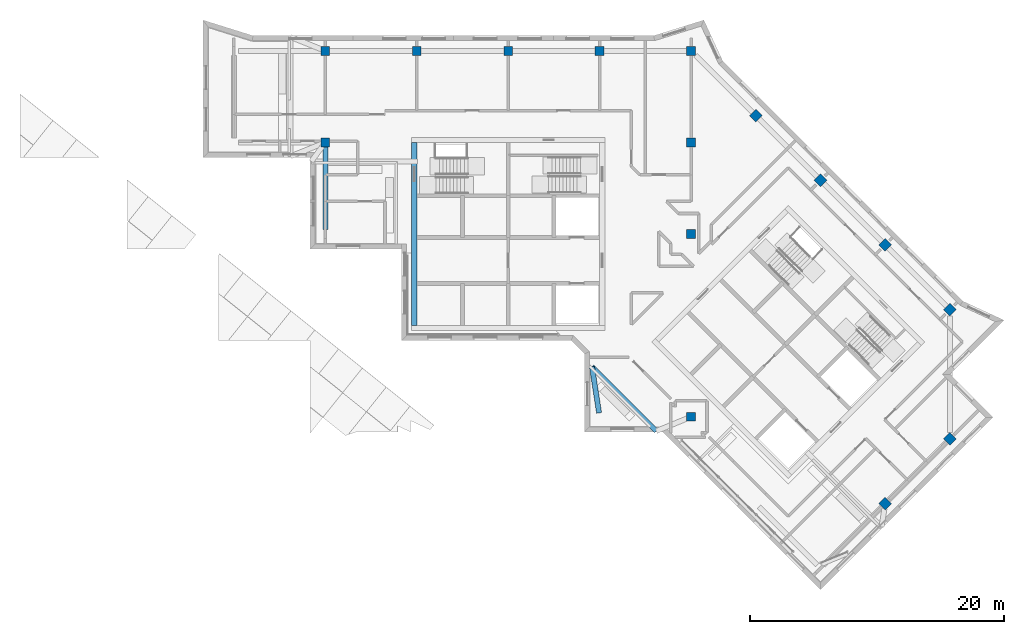
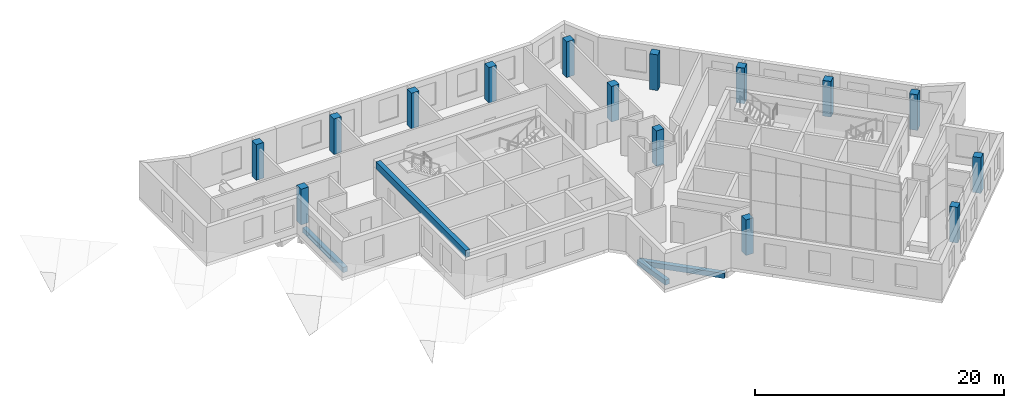
# One storey, part 1 of 13: 15 columns, 4 beams.
"""IFC4 building model written with IfcOpenShell, lengths in metres."""

from ifc_helpers import new_model, si_unit, direction, frame, origin, origin_2d, place, context, subcontext, project, spatial, rectangle, extrude, material, material_profile, profile_set, type_object, element, save


model = new_model("IFC4")

# Units and contexts
model_context = context("Model", 3, precision=1e-05, world=origin(), true_north=direction((0.0, 1.0)))
body_context = subcontext(model_context, "Body", "Model", "MODEL_VIEW")
ifc_project = project(units=[si_unit("LENGTHUNIT", "METRE"), si_unit("AREAUNIT", "SQUARE_METRE"), si_unit("VOLUMEUNIT", "CUBIC_METRE"), si_unit("PLANEANGLEUNIT", "RADIAN"), si_unit("MASSUNIT", "GRAM", prefix="KILO")], contexts=[model_context])

# Site, building, storey
site_placement = place(None, origin())
site = spatial("IfcSite", under=ifc_project, at=site_placement, CompositionType="ELEMENT")
building_placement = place(site_placement, origin())
building = spatial("IfcBuilding", under=site, at=building_placement, Name="Windrow Commons", CompositionType="ELEMENT")
storey_placement = place(building_placement, frame((0.0, 0.0, 294.4)))
storey = spatial("IfcBuildingStorey", under=building, at=storey_placement, Name="L80", CompositionType="ELEMENT", Elevation=294.4)

# Columns
ifc_material_1 = material(Name="Concrete C40/50", Category="concrete")
ifc_material_profile_1 = material_profile(ifc_material_1, rectangle(XDim=0.7, YDim=0.7, at=origin_2d()))
ifc_profile_set_1 = profile_set([ifc_material_profile_1], Name="Concrete C40/50")
column_type = type_object("IfcColumnType", Name="RC COLUMN 700x700 C40/50", PredefinedType="COLUMN", material=ifc_profile_set_1)
for number, where, z_axis, x_axis, name in (
    (1, (50.4, 64.8, 0.0), (0.0, 0.0, 1.0), (1.0, 0.0, 0.0), "C-C-08I"),
    (2, (50.4, 72.0, 0.0), (0.0, 0.0, 1.0), (1.0, 0.0, 0.0), "C-C-08J"),
    (3, (57.6, 72.0, 0.0), (0.0, 0.0, 1.0), (1.0, 0.0, 0.0), "C-C-09J"),
    (4, (64.8, 72.0, 0.0), (0.0, 0.0, 1.0), (1.0, 0.0, 0.0), "C-C-10J"),
    (5, (72.0, 72.0, 0.0), (0.0, 0.0, 1.0), (1.0, 0.0, 0.0), "C-C-11J"),
    (6, (79.2, 43.2, 0.0), (0.0, 0.0, 1.0), (1.0, 0.0, 0.0), "C-C-12F"),
    (7, (79.2, 57.6, 0.0), (0.0, 0.0, 1.0), (1.0, 0.0, 0.0), "C-C-12H"),
    (8, (79.2, 64.8, 0.0), (0.0, 0.0, 1.0), (1.0, 0.0, 0.0), "C-C-12I"),
    (9, (79.2, 72.0, 0.0), (0.0, 0.0, 1.0), (1.0, 0.0, 0.0), "C-C-12J"),
    (10, (84.2912, 66.9088, 0.0), (0.0, 0.0, 1.0), (0.7071067812, -0.7071067812, 0.0), "C-C-P2Q"),
    (11, (89.3823, 61.8177, 0.0), (0.0, 0.0, 1.0), (0.7071067812, -0.7071067812, 0.0), "C-C-P3Q"),
    (12, (94.4735, 56.7265, 0.0), (0.0, 0.0, 1.0), (0.7071067812, -0.7071067812, 0.0), "C-C-P4Q"),
    (13, (99.5647, 51.6353, 0.0), (0.0, 0.0, 1.0), (0.7071067812, -0.7071067812, 0.0), "C-C-P5Q"),
    (14, (99.5647, 41.453, 0.0), (0.0, 0.0, 1.0), (0.7071067812, -0.7071067812, 0.0), "C-C-P6R"),
    (15, (94.4735, 36.3618, 0.0), (0.0, 0.0, 1.0), (0.7071067812, -0.7071067812, 0.0), "C-C-P6S"),
):
    element("IfcColumn", number, at=place(storey_placement, frame(where, z_axis=z_axis, x_axis=x_axis)), inside=storey, type_object=column_type, Name=name, PredefinedType="COLUMN", context=body_context, shape_type="SweptSolid", body=[
        extrude(rectangle(XDim=0.7, YDim=0.7, at=origin_2d()), origin(), (0.0, 0.0, 1.0), 3.5),
    ])

# Beams
ifc_material_2 = material(Name="Concrete C40/50", Category="concrete")
ifc_material_profile_2 = material_profile(ifc_material_2, rectangle(XDim=0.4, YDim=0.7, at=origin_2d()))
ifc_profile_set_2 = profile_set([ifc_material_profile_2], Name="Concrete C40/50")
beam_type_1 = type_object("IfcBeamType", Name="RC COUPLING BEAM 400x700 C40/50", PredefinedType="LINTEL", material=ifc_profile_set_2)
beam_1_placement = place(storey_placement, frame((57.4, 50.4, 3.15), z_axis=(0.0, 1.0, 0.0), x_axis=(-1.0, 0.0, 0.0)))
element("IfcBeam", 16, at=beam_1_placement, inside=storey, type_object=beam_type_1, Name="Core A coupling beam outer-W", PredefinedType="LINTEL", context=body_context, shape_type="SweptSolid", body=[
    extrude(rectangle(XDim=0.4, YDim=0.7, at=origin_2d()), origin(), (0.0, 0.0, 1.0), 14.4),
])
ifc_material_3 = material(Name="Concrete C40/50", Category="concrete")
ifc_material_profile_3 = material_profile(ifc_material_3, rectangle(XDim=0.4, YDim=0.5, at=origin_2d()))
ifc_profile_set_3 = profile_set([ifc_material_profile_3], Name="Concrete C40/50")
beam_type_2 = type_object("IfcBeamType", Name="RC EDGE BEAM 400x500 C40/50", PredefinedType="SPANDREL", material=ifc_profile_set_3)
beam_2_placement = place(storey_placement, frame((71.3944, 47.1372, -0.55), z_axis=(0.7071067812, -0.7071067812, 0.0), x_axis=(0.7071067812, 0.7071067812, 0.0)))
element("IfcBeam", 17, at=beam_2_placement, inside=storey, type_object=beam_type_2, Name="Terrace base beam TR-L80-4", PredefinedType="SPANDREL", context=body_context, shape_type="SweptSolid", body=[
    extrude(rectangle(XDim=0.4, YDim=0.5, at=origin_2d()), origin(), (0.0, 0.0, 1.0), 7.1651),
])
beam_3_placement = place(storey_placement, frame((71.9538, 43.5006, -0.55), z_axis=(-0.152036761, 0.9883748395, 0.0), x_axis=(-0.9883748395, -0.152036761, 0.0)))
element("IfcBeam", 18, at=beam_3_placement, inside=storey, type_object=beam_type_2, Name="Terrace base bracket beam TR-L80-4.1", PredefinedType="SPANDREL", context=body_context, shape_type="SweptSolid", body=[
    extrude(rectangle(XDim=0.4, YDim=0.5, at=origin_2d()), origin(), (0.0, 0.0, 1.0), 3.6794),
])
beam_4_placement = place(storey_placement, frame((50.4, 57.95, -0.55), z_axis=(0.0, 1.0, 0.0), x_axis=(-1.0, 0.0, 0.0)))
element("IfcBeam", 19, at=beam_4_placement, inside=storey, type_object=beam_type_2, Name="Edge beam L80 001", PredefinedType="SPANDREL", context=body_context, shape_type="SweptSolid", body=[
    extrude(rectangle(XDim=0.4, YDim=0.5, at=origin_2d()), origin(), (0.0, 0.0, 1.0), 6.5),
])

save(model, "model.ifc")
